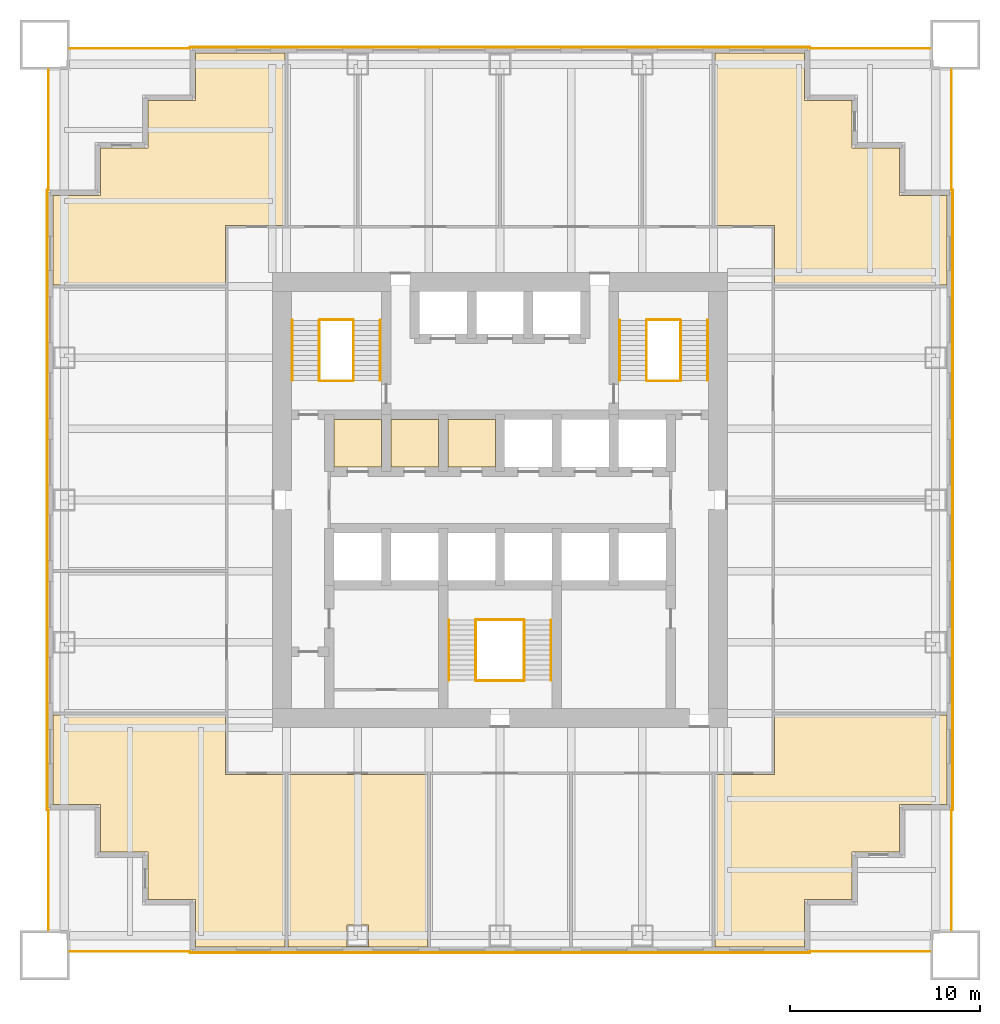
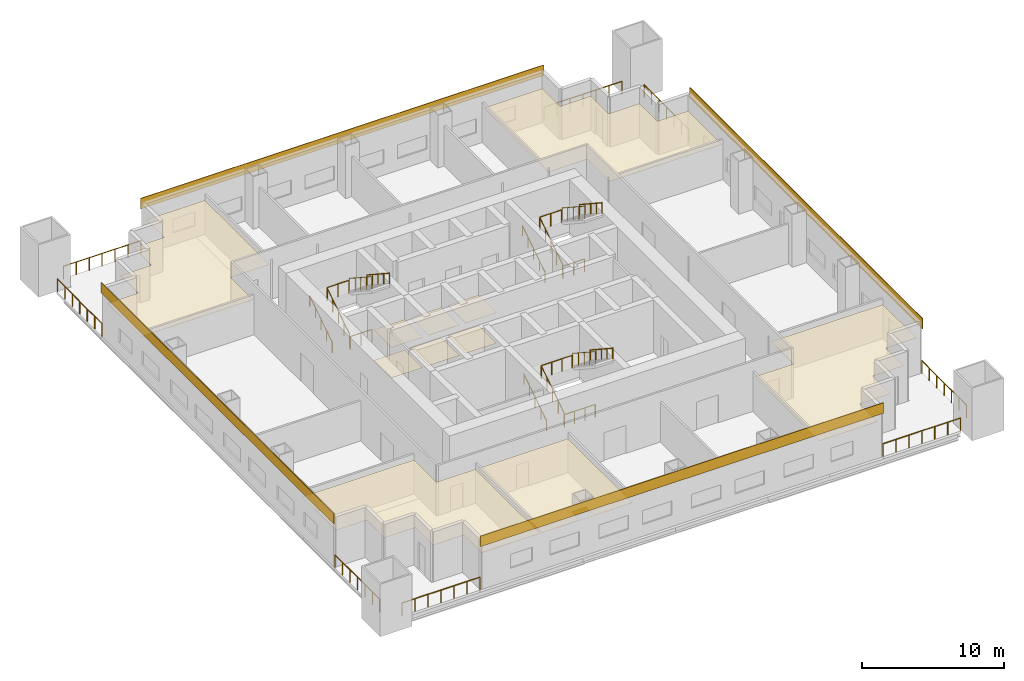
# One storey, part 6 of 6: 26 railings, 15 coverings.
"""IFC4 building model written with IfcOpenShell, lengths in metres."""

from ifc_helpers import new_model, si_unit, direction, frame, origin, origin_2d, place, context, subcontext, project, spatial, polyline, rectangle, circle, outline, extrude, material, layer, layer_set, type_object, element, save


model = new_model("IFC4")

# Units and contexts
model_context = context("Model", 3, precision=1e-05, world=origin(), true_north=direction((0.0, 1.0)))
body_context = subcontext(model_context, "Body", "Model", "MODEL_VIEW")
ifc_project = project(units=[si_unit("LENGTHUNIT", "METRE"), si_unit("AREAUNIT", "SQUARE_METRE"), si_unit("VOLUMEUNIT", "CUBIC_METRE"), si_unit("PLANEANGLEUNIT", "RADIAN"), si_unit("MASSUNIT", "GRAM", prefix="KILO")], contexts=[model_context])

# Site, building, storey
site_placement = place(None, origin())
site = spatial("IfcSite", under=ifc_project, at=site_placement, CompositionType="ELEMENT")
building_placement = place(site_placement, origin())
building = spatial("IfcBuilding", under=site, at=building_placement, Name="Tarangal Relay Tower", CompositionType="ELEMENT")
storey_placement = place(building_placement, frame((0.0, 0.0, 108.89990234375)))
storey = spatial("IfcBuildingStorey", under=building, at=storey_placement, Name="L21", CompositionType="ELEMENT", Elevation=108.89990234375)

# Coverings
ifc_material_1 = material(Name="Anti-static vinyl flooring", Category="plastic")
ifc_layer_1 = layer(ifc_material_1, 0.010009765625)
ifc_layer_set_1 = layer_set([ifc_layer_1], Name="Anti-static vinyl floor")
covering_type_1 = type_object("IfcCoveringType", Name="Anti-static vinyl floor", PredefinedType="FLOORING", material=ifc_layer_set_1)
covering_1_placement = place(storey_placement, origin())
element("IfcCovering", 1, at=covering_1_placement, inside=storey, type_object=covering_type_1, Name="Floor finish FL1 L21-D1", PredefinedType="FLOORING", context=body_context, shape_type="SweptSolid", body=[
    extrude(outline(polyline([(-8.75, 1.75), (-6.25, 1.75), (-6.25, 4.25), (-8.75, 4.25), (-8.75, 1.75)])), origin(), (0.0, 0.0, 1.0), 0.010009765625),
])
covering_2_placement = place(storey_placement, origin())
element("IfcCovering", 2, at=covering_2_placement, inside=storey, type_object=covering_type_1, Name="Floor finish FL1 L21-D2", PredefinedType="FLOORING", context=body_context, shape_type="SweptSolid", body=[
    extrude(outline(polyline([(-5.75, 1.75), (-3.25, 1.75), (-3.25, 4.25), (-5.75, 4.25), (-5.75, 1.75)])), origin(), (0.0, 0.0, 1.0), 0.010009765625),
])
covering_3_placement = place(storey_placement, origin())
element("IfcCovering", 3, at=covering_3_placement, inside=storey, type_object=covering_type_1, Name="Floor finish FL1 L21-D3", PredefinedType="FLOORING", context=body_context, shape_type="SweptSolid", body=[
    extrude(outline(polyline([(-2.75, 1.75), (-0.25, 1.75), (-0.25, 4.25), (-2.75, 4.25), (-2.75, 1.75)])), origin(), (0.0, 0.0, 1.0), 0.010009765625),
])
ifc_material_2 = material(Name="Black anodised aluminium cladding", Category="aluminium")
ifc_layer_2 = layer(ifc_material_2, 0.050048828125)
ifc_layer_set_2 = layer_set([ifc_layer_2], Name="Black metal spandrel band")
covering_type_2 = type_object("IfcCoveringType", Name="Black metal spandrel band", PredefinedType="CLADDING", material=ifc_layer_set_2)
for number, where, z_axis, x_axis, name in (
    (4, (0.0, 23.875, 3.750244140625), (0.0, 0.0, 1.0), (1.0, 0.0, 0.0), "Spandrel band SB1 N L21"),
    (5, (23.875, 0.0, 3.750244140625), (0.0, 0.0, 1.0), (0.0, -1.0, 0.0), "Spandrel band SB1 E L21"),
    (6, (0.0, -23.875, 3.750244140625), (0.0, 0.0, 1.0), (-1.0, 0.0, 0.0), "Spandrel band SB1 S L21"),
    (7, (-23.875, 0.0, 3.750244140625), (0.0, 0.0, 1.0), (0.0, 1.0, 0.0), "Spandrel band SB1 W L21"),
):
    element("IfcCovering", number, at=place(storey_placement, frame(where, z_axis=z_axis, x_axis=x_axis)), inside=storey, type_object=covering_type_2, Name=name, PredefinedType="CLADDING", context=body_context, shape_type="SweptSolid", body=[
        extrude(rectangle(XDim=32.699951171875, YDim=0.050048828125, at=origin_2d()), origin(), (0.0, 0.0, 1.0), 0.89990234375),
    ])

# Railings
ifc_material_3 = material(Name="Steel guard, black finish", Category="steel")
railing_type_1 = type_object("IfcRailingType", Name="Stair guard 1100", PredefinedType="GUARDRAIL", material=ifc_material_3)
railing_1_placement = place(storey_placement, frame((-9.530029296875, 6.300048828125, 0.173095703125)))
element("IfcRailing", 8, at=railing_1_placement, inside=storey, type_object=railing_type_1, Name="Stair ST-A guard GR1 L21 flight 1", PredefinedType="GUARDRAIL", context=body_context, shape_type="SweptSolid", body=[
    extrude(circle(Radius=0.02392578125, at=origin_2d()), frame((0.0, 0.0, 1.076171875), z_axis=(0.0, 0.83629911093, 0.548273469226), x_axis=(-1.0, 0.0, 0.0)), (0.0, 0.0, 1.0), 3.7880859375),
    extrude(circle(Radius=0.02099609375, at=origin_2d()), origin(), (0.0, 0.0, 1.0), 1.052001953125),
    extrude(circle(Radius=0.02099609375, at=origin_2d()), frame((0.0, 0.7919921875, 0.519287109375)), (0.0, 0.0, 1.0), 1.052001953125),
    extrude(circle(Radius=0.02099609375, at=origin_2d()), frame((0.0, 1.583984375, 1.03857421875)), (0.0, 0.0, 1.0), 1.052001953125),
    extrude(circle(Radius=0.02099609375, at=origin_2d()), frame((0.0, 2.3759765625, 1.5576171875)), (0.0, 0.0, 1.0), 1.052001953125),
    extrude(circle(Radius=0.02099609375, at=origin_2d()), frame((0.0, 3.16796875, 2.076904296875)), (0.0, 0.0, 1.0), 1.052001953125),
])
railing_2_placement = place(storey_placement, frame((-7.719970703125, 9.468017578125, 2.423095703125)))
element("IfcRailing", 9, at=railing_2_placement, inside=storey, type_object=railing_type_1, Name="Stair ST-A guard GR1 L21 flight 2", PredefinedType="GUARDRAIL", context=body_context, shape_type="SweptSolid", body=[
    extrude(circle(Radius=0.02392578125, at=origin_2d()), frame((0.0, 0.0, 1.076171875), z_axis=(0.0, -0.83629911093, 0.548273469226), x_axis=(1.0, 0.0, 0.0)), (0.0, 0.0, 1.0), 3.7880859375),
    extrude(circle(Radius=0.02099609375, at=origin_2d()), origin(), (0.0, 0.0, 1.0), 1.052001953125),
    extrude(circle(Radius=0.02099609375, at=origin_2d()), frame((0.0, -0.7919921875, 0.519287109375)), (0.0, 0.0, 1.0), 1.052001953125),
    extrude(circle(Radius=0.02099609375, at=origin_2d()), frame((0.0, -1.583984375, 1.03857421875)), (0.0, 0.0, 1.0), 1.052001953125),
    extrude(circle(Radius=0.02099609375, at=origin_2d()), frame((0.0, -2.3759765625, 1.5576171875)), (0.0, 0.0, 1.0), 1.052001953125),
    extrude(circle(Radius=0.02099609375, at=origin_2d()), frame((0.0, -3.16796875, 2.076904296875)), (0.0, 0.0, 1.0), 1.052001953125),
])
for number, where, name in (
    (10, (-9.5, 6.27001953125, 0.0), "Stair ST-A landing guard GR1 L21"),
    (11, (-9.5, 9.498046875, 2.25), "Stair ST-A landing guard GR1 L21"),
):
    element("IfcRailing", number, at=place(storey_placement, frame(where)), inside=storey, type_object=railing_type_1, Name=name, PredefinedType="GUARDRAIL", context=body_context, shape_type="SweptSolid", body=[
        extrude(circle(Radius=0.02392578125, at=origin_2d()), frame((0.0, 0.0, 1.076171875), z_axis=(1.0, 0.0, 0.0), x_axis=(0.0, 1.0, 0.0)), (0.0, 0.0, 1.0), 1.75),
        extrude(circle(Radius=0.02099609375, at=origin_2d()), origin(), (0.0, 0.0, 1.0), 1.052001953125),
        extrude(circle(Radius=0.02099609375, at=origin_2d()), frame((0.875, 0.0, 0.0)), (0.0, 0.0, 1.0), 1.052001953125),
        extrude(circle(Radius=0.02099609375, at=origin_2d()), frame((1.75, 0.0, 0.0)), (0.0, 0.0, 1.0), 1.052001953125),
    ])
railing_3_placement = place(storey_placement, frame((7.719970703125, 6.300048828125, 0.173095703125)))
element("IfcRailing", 12, at=railing_3_placement, inside=storey, type_object=railing_type_1, Name="Stair ST-B guard GR1 L21 flight 1", PredefinedType="GUARDRAIL", context=body_context, shape_type="SweptSolid", body=[
    extrude(circle(Radius=0.02392578125, at=origin_2d()), frame((0.0, 0.0, 1.076171875), z_axis=(0.0, 0.83629911093, 0.548273469226), x_axis=(-1.0, 0.0, 0.0)), (0.0, 0.0, 1.0), 3.7880859375),
    extrude(circle(Radius=0.02099609375, at=origin_2d()), origin(), (0.0, 0.0, 1.0), 1.052001953125),
    extrude(circle(Radius=0.02099609375, at=origin_2d()), frame((0.0, 0.7919921875, 0.519287109375)), (0.0, 0.0, 1.0), 1.052001953125),
    extrude(circle(Radius=0.02099609375, at=origin_2d()), frame((0.0, 1.583984375, 1.03857421875)), (0.0, 0.0, 1.0), 1.052001953125),
    extrude(circle(Radius=0.02099609375, at=origin_2d()), frame((0.0, 2.3759765625, 1.5576171875)), (0.0, 0.0, 1.0), 1.052001953125),
    extrude(circle(Radius=0.02099609375, at=origin_2d()), frame((0.0, 3.16796875, 2.076904296875)), (0.0, 0.0, 1.0), 1.052001953125),
])
railing_4_placement = place(storey_placement, frame((9.530029296875, 9.468017578125, 2.423095703125)))
element("IfcRailing", 13, at=railing_4_placement, inside=storey, type_object=railing_type_1, Name="Stair ST-B guard GR1 L21 flight 2", PredefinedType="GUARDRAIL", context=body_context, shape_type="SweptSolid", body=[
    extrude(circle(Radius=0.02392578125, at=origin_2d()), frame((0.0, 0.0, 1.076171875), z_axis=(0.0, -0.83629911093, 0.548273469226), x_axis=(1.0, 0.0, 0.0)), (0.0, 0.0, 1.0), 3.7880859375),
    extrude(circle(Radius=0.02099609375, at=origin_2d()), origin(), (0.0, 0.0, 1.0), 1.052001953125),
    extrude(circle(Radius=0.02099609375, at=origin_2d()), frame((0.0, -0.7919921875, 0.519287109375)), (0.0, 0.0, 1.0), 1.052001953125),
    extrude(circle(Radius=0.02099609375, at=origin_2d()), frame((0.0, -1.583984375, 1.03857421875)), (0.0, 0.0, 1.0), 1.052001953125),
    extrude(circle(Radius=0.02099609375, at=origin_2d()), frame((0.0, -2.3759765625, 1.5576171875)), (0.0, 0.0, 1.0), 1.052001953125),
    extrude(circle(Radius=0.02099609375, at=origin_2d()), frame((0.0, -3.16796875, 2.076904296875)), (0.0, 0.0, 1.0), 1.052001953125),
])
for number, where, name in (
    (14, (7.75, 6.27001953125, 0.0), "Stair ST-B landing guard GR1 L21"),
    (15, (7.75, 9.498046875, 2.25), "Stair ST-B landing guard GR1 L21"),
):
    element("IfcRailing", number, at=place(storey_placement, frame(where)), inside=storey, type_object=railing_type_1, Name=name, PredefinedType="GUARDRAIL", context=body_context, shape_type="SweptSolid", body=[
        extrude(circle(Radius=0.02392578125, at=origin_2d()), frame((0.0, 0.0, 1.076171875), z_axis=(1.0, 0.0, 0.0), x_axis=(0.0, 1.0, 0.0)), (0.0, 0.0, 1.0), 1.75),
        extrude(circle(Radius=0.02099609375, at=origin_2d()), origin(), (0.0, 0.0, 1.0), 1.052001953125),
        extrude(circle(Radius=0.02099609375, at=origin_2d()), frame((0.875, 0.0, 0.0)), (0.0, 0.0, 1.0), 1.052001953125),
        extrude(circle(Radius=0.02099609375, at=origin_2d()), frame((1.75, 0.0, 0.0)), (0.0, 0.0, 1.0), 1.052001953125),
    ])
railing_5_placement = place(storey_placement, frame((-1.280029296875, -9.5, 0.173095703125)))
element("IfcRailing", 16, at=railing_5_placement, inside=storey, type_object=railing_type_1, Name="Stair ST-C guard GR1 L21 flight 1", PredefinedType="GUARDRAIL", context=body_context, shape_type="SweptSolid", body=[
    extrude(circle(Radius=0.02392578125, at=origin_2d()), frame((0.0, 0.0, 1.076171875), z_axis=(0.0, 0.83629911093, 0.548273469226), x_axis=(-1.0, 0.0, 0.0)), (0.0, 0.0, 1.0), 3.7880859375),
    extrude(circle(Radius=0.02099609375, at=origin_2d()), origin(), (0.0, 0.0, 1.0), 1.052001953125),
    extrude(circle(Radius=0.02099609375, at=origin_2d()), frame((0.0, 0.7919921875, 0.519287109375)), (0.0, 0.0, 1.0), 1.052001953125),
    extrude(circle(Radius=0.02099609375, at=origin_2d()), frame((0.0, 1.583984375, 1.03857421875)), (0.0, 0.0, 1.0), 1.052001953125),
    extrude(circle(Radius=0.02099609375, at=origin_2d()), frame((0.0, 2.3759765625, 1.5576171875)), (0.0, 0.0, 1.0), 1.052001953125),
    extrude(circle(Radius=0.02099609375, at=origin_2d()), frame((0.0, 3.16796875, 2.076904296875)), (0.0, 0.0, 1.0), 1.052001953125),
])
railing_6_placement = place(storey_placement, frame((1.280029296875, -6.33203125, 2.423095703125)))
element("IfcRailing", 17, at=railing_6_placement, inside=storey, type_object=railing_type_1, Name="Stair ST-C guard GR1 L21 flight 2", PredefinedType="GUARDRAIL", context=body_context, shape_type="SweptSolid", body=[
    extrude(circle(Radius=0.02392578125, at=origin_2d()), frame((0.0, 0.0, 1.076171875), z_axis=(0.0, -0.83629911093, 0.548273469226), x_axis=(1.0, 0.0, 0.0)), (0.0, 0.0, 1.0), 3.7880859375),
    extrude(circle(Radius=0.02099609375, at=origin_2d()), origin(), (0.0, 0.0, 1.0), 1.052001953125),
    extrude(circle(Radius=0.02099609375, at=origin_2d()), frame((0.0, -0.7919921875, 0.519287109375)), (0.0, 0.0, 1.0), 1.052001953125),
    extrude(circle(Radius=0.02099609375, at=origin_2d()), frame((0.0, -1.583984375, 1.03857421875)), (0.0, 0.0, 1.0), 1.052001953125),
    extrude(circle(Radius=0.02099609375, at=origin_2d()), frame((0.0, -2.3759765625, 1.5576171875)), (0.0, 0.0, 1.0), 1.052001953125),
    extrude(circle(Radius=0.02099609375, at=origin_2d()), frame((0.0, -3.16796875, 2.076904296875)), (0.0, 0.0, 1.0), 1.052001953125),
])
for number, where, name in (
    (18, (-1.25, -9.530029296875, 0.0), "Stair ST-C landing guard GR1 L21"),
    (19, (-1.25, -6.302001953125, 2.25), "Stair ST-C landing guard GR1 L21"),
):
    element("IfcRailing", number, at=place(storey_placement, frame(where)), inside=storey, type_object=railing_type_1, Name=name, PredefinedType="GUARDRAIL", context=body_context, shape_type="SweptSolid", body=[
        extrude(circle(Radius=0.02392578125, at=origin_2d()), frame((0.0, 0.0, 1.076171875), z_axis=(1.0, 0.0, 0.0), x_axis=(0.0, 1.0, 0.0)), (0.0, 0.0, 1.0), 2.5),
        extrude(circle(Radius=0.02099609375, at=origin_2d()), origin(), (0.0, 0.0, 1.0), 1.052001953125),
        extrude(circle(Radius=0.02099609375, at=origin_2d()), frame((0.833251953125, 0.0, 0.0)), (0.0, 0.0, 1.0), 1.052001953125),
        extrude(circle(Radius=0.02099609375, at=origin_2d()), frame((1.666748046875, 0.0, 0.0)), (0.0, 0.0, 1.0), 1.052001953125),
        extrude(circle(Radius=0.02099609375, at=origin_2d()), frame((2.5, 0.0, 0.0)), (0.0, 0.0, 1.0), 1.052001953125),
    ])
ifc_material_4 = material(Name="Steel handrail, black finish", Category="steel")
railing_type_2 = type_object("IfcRailingType", Name="Stair handrail 900", PredefinedType="HANDRAIL", material=ifc_material_4)
railing_7_placement = place(storey_placement, frame((-10.93994140625, 6.300048828125, 0.173095703125)))
element("IfcRailing", 20, at=railing_7_placement, inside=storey, type_object=railing_type_2, Name="Stair ST-A handrail HR1 L21 flight 1", PredefinedType="HANDRAIL", context=body_context, shape_type="SweptSolid", body=[
    extrude(circle(Radius=0.02392578125, at=origin_2d()), frame((0.0, 0.0, 0.8759765625), z_axis=(0.0, 0.83629911093, 0.548273469226), x_axis=(-1.0, 0.0, 0.0)), (0.0, 0.0, 1.0), 3.7880859375),
    extrude(circle(Radius=0.02099609375, at=origin_2d()), origin(), (0.0, 0.0, 1.0), 0.851806640625),
    extrude(circle(Radius=0.02099609375, at=origin_2d()), frame((0.0, 0.7919921875, 0.519287109375)), (0.0, 0.0, 1.0), 0.851806640625),
    extrude(circle(Radius=0.02099609375, at=origin_2d()), frame((0.0, 1.583984375, 1.03857421875)), (0.0, 0.0, 1.0), 0.851806640625),
    extrude(circle(Radius=0.02099609375, at=origin_2d()), frame((0.0, 2.3759765625, 1.5576171875)), (0.0, 0.0, 1.0), 0.851806640625),
    extrude(circle(Radius=0.02099609375, at=origin_2d()), frame((0.0, 3.16796875, 2.076904296875)), (0.0, 0.0, 1.0), 0.851806640625),
])
railing_8_placement = place(storey_placement, frame((-6.31005859375, 9.468017578125, 2.423095703125)))
element("IfcRailing", 21, at=railing_8_placement, inside=storey, type_object=railing_type_2, Name="Stair ST-A handrail HR1 L21 flight 2", PredefinedType="HANDRAIL", context=body_context, shape_type="SweptSolid", body=[
    extrude(circle(Radius=0.02392578125, at=origin_2d()), frame((0.0, 0.0, 0.8759765625), z_axis=(0.0, -0.83629911093, 0.548273469226), x_axis=(1.0, 0.0, 0.0)), (0.0, 0.0, 1.0), 3.7880859375),
    extrude(circle(Radius=0.02099609375, at=origin_2d()), origin(), (0.0, 0.0, 1.0), 0.851806640625),
    extrude(circle(Radius=0.02099609375, at=origin_2d()), frame((0.0, -0.7919921875, 0.519287109375)), (0.0, 0.0, 1.0), 0.851806640625),
    extrude(circle(Radius=0.02099609375, at=origin_2d()), frame((0.0, -1.583984375, 1.03857421875)), (0.0, 0.0, 1.0), 0.851806640625),
    extrude(circle(Radius=0.02099609375, at=origin_2d()), frame((0.0, -2.3759765625, 1.5576171875)), (0.0, 0.0, 1.0), 0.851806640625),
    extrude(circle(Radius=0.02099609375, at=origin_2d()), frame((0.0, -3.16796875, 2.076904296875)), (0.0, 0.0, 1.0), 0.851806640625),
])
railing_9_placement = place(storey_placement, frame((6.31005859375, 6.300048828125, 0.173095703125)))
element("IfcRailing", 22, at=railing_9_placement, inside=storey, type_object=railing_type_2, Name="Stair ST-B handrail HR1 L21 flight 1", PredefinedType="HANDRAIL", context=body_context, shape_type="SweptSolid", body=[
    extrude(circle(Radius=0.02392578125, at=origin_2d()), frame((0.0, 0.0, 0.8759765625), z_axis=(0.0, 0.83629911093, 0.548273469226), x_axis=(-1.0, 0.0, 0.0)), (0.0, 0.0, 1.0), 3.7880859375),
    extrude(circle(Radius=0.02099609375, at=origin_2d()), origin(), (0.0, 0.0, 1.0), 0.851806640625),
    extrude(circle(Radius=0.02099609375, at=origin_2d()), frame((0.0, 0.7919921875, 0.519287109375)), (0.0, 0.0, 1.0), 0.851806640625),
    extrude(circle(Radius=0.02099609375, at=origin_2d()), frame((0.0, 1.583984375, 1.03857421875)), (0.0, 0.0, 1.0), 0.851806640625),
    extrude(circle(Radius=0.02099609375, at=origin_2d()), frame((0.0, 2.3759765625, 1.5576171875)), (0.0, 0.0, 1.0), 0.851806640625),
    extrude(circle(Radius=0.02099609375, at=origin_2d()), frame((0.0, 3.16796875, 2.076904296875)), (0.0, 0.0, 1.0), 0.851806640625),
])
railing_10_placement = place(storey_placement, frame((10.93994140625, 9.468017578125, 2.423095703125)))
element("IfcRailing", 23, at=railing_10_placement, inside=storey, type_object=railing_type_2, Name="Stair ST-B handrail HR1 L21 flight 2", PredefinedType="HANDRAIL", context=body_context, shape_type="SweptSolid", body=[
    extrude(circle(Radius=0.02392578125, at=origin_2d()), frame((0.0, 0.0, 0.8759765625), z_axis=(0.0, -0.83629911093, 0.548273469226), x_axis=(1.0, 0.0, 0.0)), (0.0, 0.0, 1.0), 3.7880859375),
    extrude(circle(Radius=0.02099609375, at=origin_2d()), origin(), (0.0, 0.0, 1.0), 0.851806640625),
    extrude(circle(Radius=0.02099609375, at=origin_2d()), frame((0.0, -0.7919921875, 0.519287109375)), (0.0, 0.0, 1.0), 0.851806640625),
    extrude(circle(Radius=0.02099609375, at=origin_2d()), frame((0.0, -1.583984375, 1.03857421875)), (0.0, 0.0, 1.0), 0.851806640625),
    extrude(circle(Radius=0.02099609375, at=origin_2d()), frame((0.0, -2.3759765625, 1.5576171875)), (0.0, 0.0, 1.0), 0.851806640625),
    extrude(circle(Radius=0.02099609375, at=origin_2d()), frame((0.0, -3.16796875, 2.076904296875)), (0.0, 0.0, 1.0), 0.851806640625),
])
railing_11_placement = place(storey_placement, frame((-2.68994140625, -9.5, 0.173095703125)))
element("IfcRailing", 24, at=railing_11_placement, inside=storey, type_object=railing_type_2, Name="Stair ST-C handrail HR1 L21 flight 1", PredefinedType="HANDRAIL", context=body_context, shape_type="SweptSolid", body=[
    extrude(circle(Radius=0.02392578125, at=origin_2d()), frame((0.0, 0.0, 0.8759765625), z_axis=(0.0, 0.83629911093, 0.548273469226), x_axis=(-1.0, 0.0, 0.0)), (0.0, 0.0, 1.0), 3.7880859375),
    extrude(circle(Radius=0.02099609375, at=origin_2d()), origin(), (0.0, 0.0, 1.0), 0.851806640625),
    extrude(circle(Radius=0.02099609375, at=origin_2d()), frame((0.0, 0.7919921875, 0.519287109375)), (0.0, 0.0, 1.0), 0.851806640625),
    extrude(circle(Radius=0.02099609375, at=origin_2d()), frame((0.0, 1.583984375, 1.03857421875)), (0.0, 0.0, 1.0), 0.851806640625),
    extrude(circle(Radius=0.02099609375, at=origin_2d()), frame((0.0, 2.3759765625, 1.5576171875)), (0.0, 0.0, 1.0), 0.851806640625),
    extrude(circle(Radius=0.02099609375, at=origin_2d()), frame((0.0, 3.16796875, 2.076904296875)), (0.0, 0.0, 1.0), 0.851806640625),
])
railing_12_placement = place(storey_placement, frame((2.68994140625, -6.33203125, 2.423095703125)))
element("IfcRailing", 25, at=railing_12_placement, inside=storey, type_object=railing_type_2, Name="Stair ST-C handrail HR1 L21 flight 2", PredefinedType="HANDRAIL", context=body_context, shape_type="SweptSolid", body=[
    extrude(circle(Radius=0.02392578125, at=origin_2d()), frame((0.0, 0.0, 0.8759765625), z_axis=(0.0, -0.83629911093, 0.548273469226), x_axis=(1.0, 0.0, 0.0)), (0.0, 0.0, 1.0), 3.7880859375),
    extrude(circle(Radius=0.02099609375, at=origin_2d()), origin(), (0.0, 0.0, 1.0), 0.851806640625),
    extrude(circle(Radius=0.02099609375, at=origin_2d()), frame((0.0, -0.7919921875, 0.519287109375)), (0.0, 0.0, 1.0), 0.851806640625),
    extrude(circle(Radius=0.02099609375, at=origin_2d()), frame((0.0, -1.583984375, 1.03857421875)), (0.0, 0.0, 1.0), 0.851806640625),
    extrude(circle(Radius=0.02099609375, at=origin_2d()), frame((0.0, -2.3759765625, 1.5576171875)), (0.0, 0.0, 1.0), 0.851806640625),
    extrude(circle(Radius=0.02099609375, at=origin_2d()), frame((0.0, -3.16796875, 2.076904296875)), (0.0, 0.0, 1.0), 0.851806640625),
])

# Coverings
ifc_material_5 = material(Name="Mineral fibre ceiling tiles", Category="gypsum")
ifc_layer_3 = layer(ifc_material_5, 0.02001953125)
ifc_layer_set_3 = layer_set([ifc_layer_3], Name="Suspended ceiling")
covering_type_3 = type_object("IfcCoveringType", Name="Suspended ceiling", PredefinedType="CEILING", material=ifc_layer_set_3)
covering_4_placement = place(storey_placement, frame((0.0, 0.0, 2.60009765625)))
element("IfcCovering", 26, at=covering_4_placement, inside=storey, type_object=covering_type_3, Name="Suspended ceiling CL1 L21-D1", PredefinedType="CEILING", context=body_context, shape_type="SweptSolid", body=[
    extrude(outline(polyline([(-8.75, 1.75), (-6.25, 1.75), (-6.25, 4.25), (-8.75, 4.25), (-8.75, 1.75)])), origin(), (0.0, 0.0, 1.0), 0.02001953125),
])
covering_5_placement = place(storey_placement, frame((0.0, 0.0, 2.60009765625)))
element("IfcCovering", 27, at=covering_5_placement, inside=storey, type_object=covering_type_3, Name="Suspended ceiling CL1 L21-D2", PredefinedType="CEILING", context=body_context, shape_type="SweptSolid", body=[
    extrude(outline(polyline([(-5.75, 1.75), (-3.25, 1.75), (-3.25, 4.25), (-5.75, 4.25), (-5.75, 1.75)])), origin(), (0.0, 0.0, 1.0), 0.02001953125),
])
covering_6_placement = place(storey_placement, frame((0.0, 0.0, 2.60009765625)))
element("IfcCovering", 28, at=covering_6_placement, inside=storey, type_object=covering_type_3, Name="Suspended ceiling CL1 L21-D3", PredefinedType="CEILING", context=body_context, shape_type="SweptSolid", body=[
    extrude(outline(polyline([(-2.75, 1.75), (-0.25, 1.75), (-0.25, 4.25), (-2.75, 4.25), (-2.75, 1.75)])), origin(), (0.0, 0.0, 1.0), 0.02001953125),
])
covering_7_placement = place(storey_placement, frame((0.0, 0.0, 2.900146484375)))
element("IfcCovering", 29, at=covering_7_placement, inside=storey, type_object=covering_type_3, Name="Suspended ceiling CL1 L21-10", PredefinedType="CEILING", context=body_context, shape_type="SweptSolid", body=[
    extrude(outline(polyline([(-11.175048828125, -23.550048828125), (-3.824951171875, -23.550048828125), (-3.824951171875, -14.47509765625), (-11.175048828125, -14.47509765625), (-11.175048828125, -23.550048828125)]), holes=[polyline([(-6.925048828125, -22.389892578125), (-8.074951171875, -22.389892578125), (-8.074951171875, -23.5400390625), (-6.925048828125, -23.5400390625), (-6.925048828125, -22.389892578125)])]), origin(), (0.0, 0.0, 1.0), 0.02001953125),
])
covering_8_placement = place(storey_placement, frame((0.0, 0.0, 2.900146484375)))
element("IfcCovering", 30, at=covering_8_placement, inside=storey, type_object=covering_type_3, Name="Suspended ceiling CL1 L21-13", PredefinedType="CEILING", context=body_context, shape_type="SweptSolid", body=[
    extrude(outline(polyline([(16.050048828125, 23.550048828125), (11.324951171875, 23.550048828125), (11.324951171875, 14.47509765625), (14.47509765625, 14.47509765625), (14.47509765625, 11.324951171875), (23.550048828125, 11.324951171875), (23.550048828125, 16.050048828125), (21.050048828125, 16.050048828125), (21.050048828125, 18.550048828125), (18.550048828125, 18.550048828125), (18.550048828125, 21.050048828125), (16.050048828125, 21.050048828125), (16.050048828125, 23.550048828125)])), origin(), (0.0, 0.0, 1.0), 0.02001953125),
])
covering_9_placement = place(storey_placement, frame((0.0, 0.0, 2.900146484375)))
element("IfcCovering", 31, at=covering_9_placement, inside=storey, type_object=covering_type_3, Name="Suspended ceiling CL1 L21-14", PredefinedType="CEILING", context=body_context, shape_type="SweptSolid", body=[
    extrude(outline(polyline([(23.550048828125, -16.050048828125), (23.550048828125, -11.324951171875), (14.47509765625, -11.324951171875), (14.47509765625, -14.47509765625), (11.324951171875, -14.47509765625), (11.324951171875, -23.550048828125), (16.050048828125, -23.550048828125), (16.050048828125, -21.050048828125), (18.550048828125, -21.050048828125), (18.550048828125, -18.550048828125), (21.050048828125, -18.550048828125), (21.050048828125, -16.050048828125), (23.550048828125, -16.050048828125)])), origin(), (0.0, 0.0, 1.0), 0.02001953125),
])
covering_10_placement = place(storey_placement, frame((0.0, 0.0, 2.900146484375)))
element("IfcCovering", 32, at=covering_10_placement, inside=storey, type_object=covering_type_3, Name="Suspended ceiling CL1 L21-15", PredefinedType="CEILING", context=body_context, shape_type="SweptSolid", body=[
    extrude(outline(polyline([(-16.050048828125, -21.050048828125), (-16.050048828125, -23.550048828125), (-11.324951171875, -23.550048828125), (-11.324951171875, -14.47509765625), (-14.47509765625, -14.47509765625), (-14.47509765625, -11.324951171875), (-23.550048828125, -11.324951171875), (-23.550048828125, -16.050048828125), (-21.050048828125, -16.050048828125), (-21.050048828125, -18.550048828125), (-18.550048828125, -18.550048828125), (-18.550048828125, -21.050048828125), (-16.050048828125, -21.050048828125)])), origin(), (0.0, 0.0, 1.0), 0.02001953125),
])
covering_11_placement = place(storey_placement, frame((0.0, 0.0, 2.900146484375)))
element("IfcCovering", 33, at=covering_11_placement, inside=storey, type_object=covering_type_3, Name="Suspended ceiling CL1 L21-16", PredefinedType="CEILING", context=body_context, shape_type="SweptSolid", body=[
    extrude(outline(polyline([(-21.050048828125, 16.050048828125), (-23.550048828125, 16.050048828125), (-23.550048828125, 11.324951171875), (-14.47509765625, 11.324951171875), (-14.47509765625, 14.47509765625), (-11.324951171875, 14.47509765625), (-11.324951171875, 23.550048828125), (-16.050048828125, 23.550048828125), (-16.050048828125, 21.050048828125), (-18.550048828125, 21.050048828125), (-18.550048828125, 18.550048828125), (-21.050048828125, 18.550048828125), (-21.050048828125, 16.050048828125)])), origin(), (0.0, 0.0, 1.0), 0.02001953125),
])

# Railings
ifc_material_6 = material(Name="Black steel guard with glass infill", Category="steel")
railing_type_3 = type_object("IfcRailingType", Name="Terrace guard 1100", PredefinedType="GUARDRAIL", material=ifc_material_6)
railing_13_placement = place(storey_placement, frame((16.35009765625, 23.800048828125, 0.0)))
element("IfcRailing", 34, at=railing_13_placement, inside=storey, type_object=railing_type_3, Name="Terrace guard GR2 NE L21", PredefinedType="GUARDRAIL", context=body_context, shape_type="SweptSolid", body=[
    extrude(circle(Radius=0.02392578125, at=origin_2d()), frame((0.0, 0.0, 1.076171875), z_axis=(1.0, 0.0, 0.0), x_axis=(0.0, 1.0, 0.0)), (0.0, 0.0, 1.0), 6.2998046875),
    extrude(circle(Radius=0.02099609375, at=origin_2d()), origin(), (0.0, 0.0, 1.0), 1.052001953125),
    extrude(circle(Radius=0.02099609375, at=origin_2d()), frame((1.050048828125, 0.0, 0.0)), (0.0, 0.0, 1.0), 1.052001953125),
    extrude(circle(Radius=0.02099609375, at=origin_2d()), frame((2.099853515625, 0.0, 0.0)), (0.0, 0.0, 1.0), 1.052001953125),
    extrude(circle(Radius=0.02099609375, at=origin_2d()), frame((3.14990234375, 0.0, 0.0)), (0.0, 0.0, 1.0), 1.052001953125),
    extrude(circle(Radius=0.02099609375, at=origin_2d()), frame((4.199951171875, 0.0, 0.0)), (0.0, 0.0, 1.0), 1.052001953125),
    extrude(circle(Radius=0.02099609375, at=origin_2d()), frame((5.249755859375, 0.0, 0.0)), (0.0, 0.0, 1.0), 1.052001953125),
    extrude(circle(Radius=0.02099609375, at=origin_2d()), frame((6.2998046875, 0.0, 0.0)), (0.0, 0.0, 1.0), 1.052001953125),
])
for number, where, name in (
    (35, (23.800048828125, 22.64990234375, 0.0), "Terrace guard GR2 NE L21"),
    (36, (23.800048828125, -16.35009765625, 0.0), "Terrace guard GR2 SE L21"),
):
    element("IfcRailing", number, at=place(storey_placement, frame(where)), inside=storey, type_object=railing_type_3, Name=name, PredefinedType="GUARDRAIL", context=body_context, shape_type="SweptSolid", body=[
        extrude(circle(Radius=0.02392578125, at=origin_2d()), frame((0.0, 0.0, 1.076171875), z_axis=(0.0, -1.0, 0.0), x_axis=(1.0, 0.0, 0.0)), (0.0, 0.0, 1.0), 6.2998046875),
        extrude(circle(Radius=0.02099609375, at=origin_2d()), origin(), (0.0, 0.0, 1.0), 1.052001953125),
        extrude(circle(Radius=0.02099609375, at=origin_2d()), frame((0.0, -1.050048828125, 0.0)), (0.0, 0.0, 1.0), 1.052001953125),
        extrude(circle(Radius=0.02099609375, at=origin_2d()), frame((0.0, -2.099853515625, 0.0)), (0.0, 0.0, 1.0), 1.052001953125),
        extrude(circle(Radius=0.02099609375, at=origin_2d()), frame((0.0, -3.14990234375, 0.0)), (0.0, 0.0, 1.0), 1.052001953125),
        extrude(circle(Radius=0.02099609375, at=origin_2d()), frame((0.0, -4.199951171875, 0.0)), (0.0, 0.0, 1.0), 1.052001953125),
        extrude(circle(Radius=0.02099609375, at=origin_2d()), frame((0.0, -5.249755859375, 0.0)), (0.0, 0.0, 1.0), 1.052001953125),
        extrude(circle(Radius=0.02099609375, at=origin_2d()), frame((0.0, -6.2998046875, 0.0)), (0.0, 0.0, 1.0), 1.052001953125),
    ])
for number, where, name in (
    (37, (22.64990234375, -23.800048828125, 0.0), "Terrace guard GR2 SE L21"),
    (38, (-16.35009765625, -23.800048828125, 0.0), "Terrace guard GR2 SW L21"),
):
    element("IfcRailing", number, at=place(storey_placement, frame(where)), inside=storey, type_object=railing_type_3, Name=name, PredefinedType="GUARDRAIL", context=body_context, shape_type="SweptSolid", body=[
        extrude(circle(Radius=0.02392578125, at=origin_2d()), frame((0.0, 0.0, 1.076171875), z_axis=(-1.0, 0.0, 0.0), x_axis=(0.0, -1.0, 0.0)), (0.0, 0.0, 1.0), 6.2998046875),
        extrude(circle(Radius=0.02099609375, at=origin_2d()), origin(), (0.0, 0.0, 1.0), 1.052001953125),
        extrude(circle(Radius=0.02099609375, at=origin_2d()), frame((-1.050048828125, 0.0, 0.0)), (0.0, 0.0, 1.0), 1.052001953125),
        extrude(circle(Radius=0.02099609375, at=origin_2d()), frame((-2.099853515625, 0.0, 0.0)), (0.0, 0.0, 1.0), 1.052001953125),
        extrude(circle(Radius=0.02099609375, at=origin_2d()), frame((-3.14990234375, 0.0, 0.0)), (0.0, 0.0, 1.0), 1.052001953125),
        extrude(circle(Radius=0.02099609375, at=origin_2d()), frame((-4.199951171875, 0.0, 0.0)), (0.0, 0.0, 1.0), 1.052001953125),
        extrude(circle(Radius=0.02099609375, at=origin_2d()), frame((-5.249755859375, 0.0, 0.0)), (0.0, 0.0, 1.0), 1.052001953125),
        extrude(circle(Radius=0.02099609375, at=origin_2d()), frame((-6.2998046875, 0.0, 0.0)), (0.0, 0.0, 1.0), 1.052001953125),
    ])
for number, where, name in (
    (39, (-23.800048828125, -22.64990234375, 0.0), "Terrace guard GR2 SW L21"),
    (40, (-23.800048828125, 16.35009765625, 0.0), "Terrace guard GR2 NW L21"),
):
    element("IfcRailing", number, at=place(storey_placement, frame(where)), inside=storey, type_object=railing_type_3, Name=name, PredefinedType="GUARDRAIL", context=body_context, shape_type="SweptSolid", body=[
        extrude(circle(Radius=0.02392578125, at=origin_2d()), frame((0.0, 0.0, 1.076171875), z_axis=(0.0, 1.0, 0.0), x_axis=(-1.0, 0.0, 0.0)), (0.0, 0.0, 1.0), 6.2998046875),
        extrude(circle(Radius=0.02099609375, at=origin_2d()), origin(), (0.0, 0.0, 1.0), 1.052001953125),
        extrude(circle(Radius=0.02099609375, at=origin_2d()), frame((0.0, 1.050048828125, 0.0)), (0.0, 0.0, 1.0), 1.052001953125),
        extrude(circle(Radius=0.02099609375, at=origin_2d()), frame((0.0, 2.099853515625, 0.0)), (0.0, 0.0, 1.0), 1.052001953125),
        extrude(circle(Radius=0.02099609375, at=origin_2d()), frame((0.0, 3.14990234375, 0.0)), (0.0, 0.0, 1.0), 1.052001953125),
        extrude(circle(Radius=0.02099609375, at=origin_2d()), frame((0.0, 4.199951171875, 0.0)), (0.0, 0.0, 1.0), 1.052001953125),
        extrude(circle(Radius=0.02099609375, at=origin_2d()), frame((0.0, 5.249755859375, 0.0)), (0.0, 0.0, 1.0), 1.052001953125),
        extrude(circle(Radius=0.02099609375, at=origin_2d()), frame((0.0, 6.2998046875, 0.0)), (0.0, 0.0, 1.0), 1.052001953125),
    ])
railing_14_placement = place(storey_placement, frame((-22.64990234375, 23.800048828125, 0.0)))
element("IfcRailing", 41, at=railing_14_placement, inside=storey, type_object=railing_type_3, Name="Terrace guard GR2 NW L21", PredefinedType="GUARDRAIL", context=body_context, shape_type="SweptSolid", body=[
    extrude(circle(Radius=0.02392578125, at=origin_2d()), frame((0.0, 0.0, 1.076171875), z_axis=(1.0, 0.0, 0.0), x_axis=(0.0, 1.0, 0.0)), (0.0, 0.0, 1.0), 6.2998046875),
    extrude(circle(Radius=0.02099609375, at=origin_2d()), origin(), (0.0, 0.0, 1.0), 1.052001953125),
    extrude(circle(Radius=0.02099609375, at=origin_2d()), frame((1.050048828125, 0.0, 0.0)), (0.0, 0.0, 1.0), 1.052001953125),
    extrude(circle(Radius=0.02099609375, at=origin_2d()), frame((2.099853515625, 0.0, 0.0)), (0.0, 0.0, 1.0), 1.052001953125),
    extrude(circle(Radius=0.02099609375, at=origin_2d()), frame((3.14990234375, 0.0, 0.0)), (0.0, 0.0, 1.0), 1.052001953125),
    extrude(circle(Radius=0.02099609375, at=origin_2d()), frame((4.199951171875, 0.0, 0.0)), (0.0, 0.0, 1.0), 1.052001953125),
    extrude(circle(Radius=0.02099609375, at=origin_2d()), frame((5.249755859375, 0.0, 0.0)), (0.0, 0.0, 1.0), 1.052001953125),
    extrude(circle(Radius=0.02099609375, at=origin_2d()), frame((6.2998046875, 0.0, 0.0)), (0.0, 0.0, 1.0), 1.052001953125),
])

save(model, "model.ifc")
